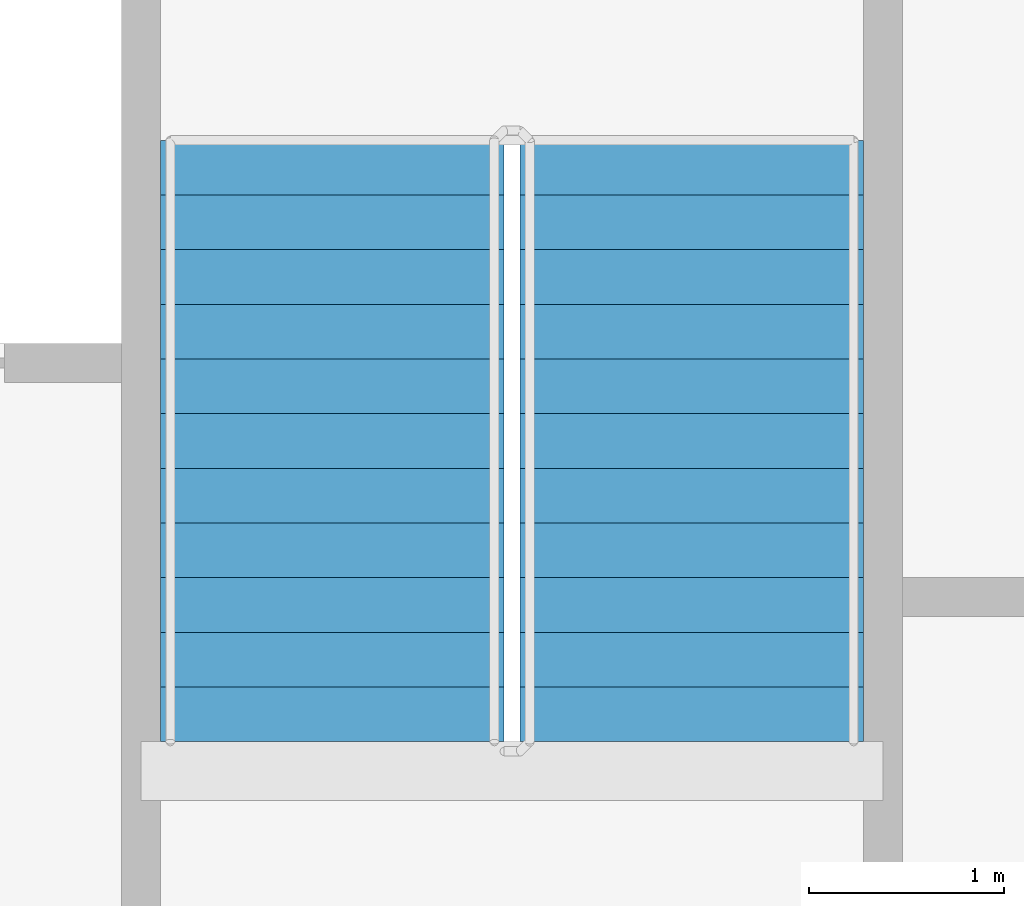
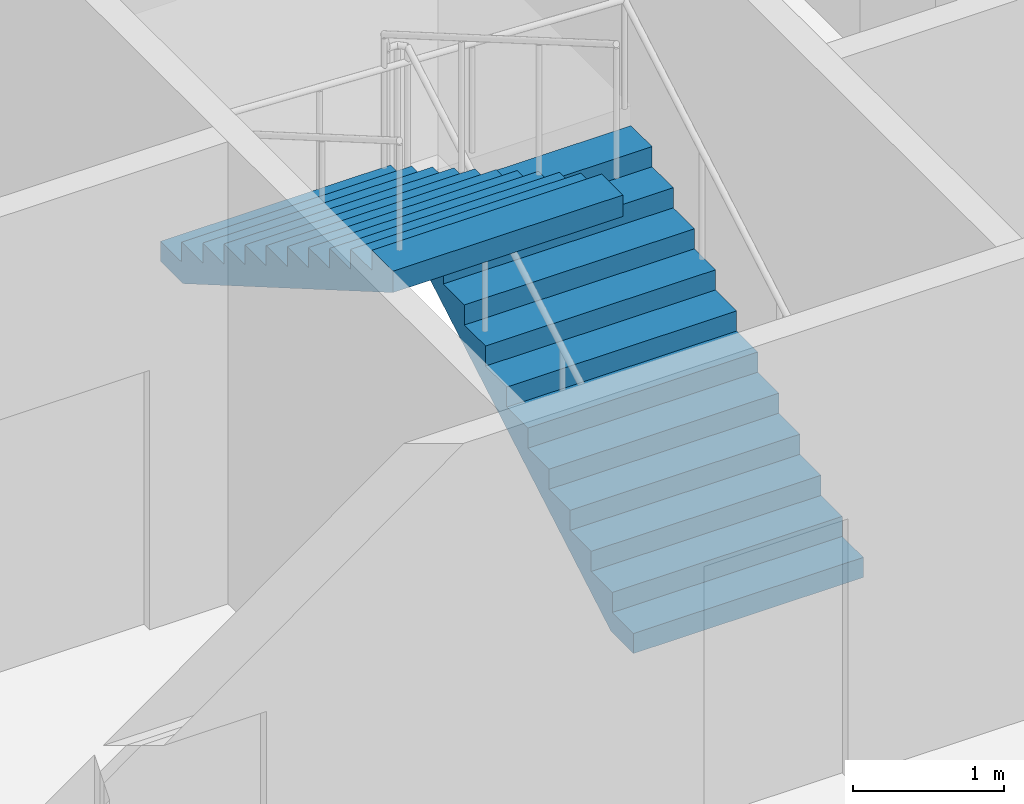
# One storey, part 18 of 23: 2 stair flights, 1 element without a shape of its own.
"""IFC4 building model written with IfcOpenShell, lengths in metres."""

from ifc_helpers import new_model, si_unit, direction, frame, origin, place, context, subcontext, project, spatial, faceted_brep, material, type_object, element, aggregate, save


model = new_model("IFC4")

# Units and contexts
model_context = context("Model", 3, precision=1e-05, world=origin(), true_north=direction((0.0, 1.0)))
body_context = subcontext(model_context, "Body", "Model", "MODEL_VIEW")
ifc_project = project(units=[si_unit("LENGTHUNIT", "METRE"), si_unit("AREAUNIT", "SQUARE_METRE"), si_unit("VOLUMEUNIT", "CUBIC_METRE"), si_unit("PLANEANGLEUNIT", "RADIAN"), si_unit("MASSUNIT", "GRAM", prefix="KILO")], contexts=[model_context])

# Site, building, storey
site_placement = place(None, origin())
site = spatial("IfcSite", under=ifc_project, at=site_placement, CompositionType="ELEMENT")
building_placement = place(site_placement, origin())
building = spatial("IfcBuilding", under=site, at=building_placement, Name="Tarsis Ring Headquarters", CompositionType="ELEMENT")
storey_placement = place(building_placement, frame((0.0, 0.0, 155.39990234375)))
storey = spatial("IfcBuildingStorey", under=building, at=storey_placement, Name="L35", CompositionType="ELEMENT", Elevation=155.39990234375)

# Stair, stair flights
ifc_material_1 = material(Name="Core stair 1760")
stair_type = type_object("IfcStairType", Name="Core stair 1760", PredefinedType="HALF_TURN_STAIR", material=ifc_material_1)
stair_placement = place(storey_placement, origin())
stair = element("IfcStair", 1, at=stair_placement, inside=storey, type_object=stair_type, Name="L35 Exit stair B", PredefinedType="HALF_TURN_STAIR")
ifc_material_2 = material(Name="Concrete C40/50", Category="concrete")
stair_flight_type = type_object("IfcStairFlightType", Name="Core stair flight 1760", PredefinedType="STRAIGHT", material=ifc_material_2)
stair_flight_1_placement = place(storey_placement, frame((5.419921875, 3.659912109375, 0.0), z_axis=(0.0, 0.0, 1.0), x_axis=(0.0, 1.0, 0.0)))
stair_flight_1 = element("IfcStairFlight", 2, at=stair_flight_1_placement, type_object=stair_flight_type, Name="Stair ST2 flight 1", NumberOfRisers=12, NumberOfTreads=11, PredefinedType="STRAIGHT", RiserHeight=0.1625, TreadLength=0.28, context=body_context, shape_type="Brep", body=[
    faceted_brep([(0.0, 0.8798828125, 0.0), (0.0, 0.8798828125, 0.16259765625), (0.280029296875, 0.8798828125, 0.16259765625), (0.280029296875, 0.8798828125, 0.324951171875), (0.56005859375, 0.8798828125, 0.324951171875), (0.56005859375, 0.8798828125, 0.487548828125), (0.840087890625, 0.8798828125, 0.487548828125), (0.840087890625, 0.8798828125, 0.64990234375), (1.1201171875, 0.8798828125, 0.64990234375), (1.1201171875, 0.8798828125, 0.8125), (1.39990234375, 0.8798828125, 0.8125), (1.39990234375, 0.8798828125, 0.97509765625), (1.679931640625, 0.8798828125, 0.97509765625), (1.679931640625, 0.8798828125, 1.137451171875), (1.9599609375, 0.8798828125, 1.137451171875), (1.9599609375, 0.8798828125, 1.300048828125), (2.239990234375, 0.8798828125, 1.300048828125), (2.239990234375, 0.8798828125, 1.46240234375), (2.52001953125, 0.8798828125, 1.46240234375), (2.52001953125, 0.8798828125, 1.625), (2.800048828125, 0.8798828125, 1.625), (2.800048828125, 0.8798828125, 1.78759765625), (3.080078125, 0.8798828125, 1.78759765625), (3.080078125, 0.8798828125, 1.6142578125), (0.298583984375, 0.8798828125, 0.0), (0.298583984375, -0.8798828125, 0.0), (3.080078125, -0.8798828125, 1.6142578125), (3.080078125, -0.8798828125, 1.78759765625), (2.800048828125, -0.8798828125, 1.78759765625), (2.800048828125, -0.8798828125, 1.625), (2.52001953125, -0.8798828125, 1.625), (2.52001953125, -0.8798828125, 1.46240234375), (2.239990234375, -0.8798828125, 1.46240234375), (2.239990234375, -0.8798828125, 1.300048828125), (1.9599609375, -0.8798828125, 1.300048828125), (1.9599609375, -0.8798828125, 1.137451171875), (1.679931640625, -0.8798828125, 1.137451171875), (1.679931640625, -0.8798828125, 0.97509765625), (1.39990234375, -0.8798828125, 0.97509765625), (1.39990234375, -0.8798828125, 0.8125), (1.1201171875, -0.8798828125, 0.8125), (1.1201171875, -0.8798828125, 0.64990234375), (0.840087890625, -0.8798828125, 0.64990234375), (0.840087890625, -0.8798828125, 0.487548828125), (0.56005859375, -0.8798828125, 0.487548828125), (0.56005859375, -0.8798828125, 0.324951171875), (0.280029296875, -0.8798828125, 0.324951171875), (0.280029296875, -0.8798828125, 0.16259765625), (0.0, -0.8798828125, 0.16259765625), (0.0, -0.8798828125, 0.0), (0.0, -0.43994140625, 0.16259765625), (0.0, -0.43994140625, 0.0), (0.0, 0.0, 0.16259765625), (0.0, 0.0, 0.0), (0.0, 0.43994140625, 0.16259765625), (0.0, 0.43994140625, 0.0), (0.280029296875, -0.43994140625, 0.16259765625), (0.280029296875, 0.0, 0.16259765625), (0.280029296875, 0.43994140625, 0.16259765625), (0.280029296875, -0.43994140625, 0.324951171875), (0.280029296875, 0.0, 0.324951171875), (0.280029296875, 0.43994140625, 0.324951171875), (0.56005859375, -0.43994140625, 0.324951171875), (0.56005859375, 0.0, 0.324951171875), (0.56005859375, 0.43994140625, 0.324951171875), (0.56005859375, -0.43994140625, 0.487548828125), (0.56005859375, 0.0, 0.487548828125), (0.56005859375, 0.43994140625, 0.487548828125), (0.840087890625, -0.43994140625, 0.487548828125), (0.840087890625, 0.0, 0.487548828125), (0.840087890625, 0.43994140625, 0.487548828125), (0.840087890625, -0.43994140625, 0.64990234375), (0.840087890625, 0.0, 0.64990234375), (0.840087890625, 0.43994140625, 0.64990234375), (1.1201171875, -0.43994140625, 0.64990234375), (1.1201171875, 0.0, 0.64990234375), (1.1201171875, 0.43994140625, 0.64990234375), (1.1201171875, -0.43994140625, 0.8125), (1.1201171875, 0.0, 0.8125), (1.1201171875, 0.43994140625, 0.8125), (1.39990234375, -0.43994140625, 0.8125), (1.39990234375, 0.0, 0.8125), (1.39990234375, 0.43994140625, 0.8125), (1.39990234375, -0.43994140625, 0.97509765625), (1.39990234375, 0.0, 0.97509765625), (1.39990234375, 0.43994140625, 0.97509765625), (1.679931640625, -0.43994140625, 0.97509765625), (1.679931640625, 0.0, 0.97509765625), (1.679931640625, 0.43994140625, 0.97509765625), (1.679931640625, -0.43994140625, 1.137451171875), (1.679931640625, 0.0, 1.137451171875), (1.679931640625, 0.43994140625, 1.137451171875), (1.9599609375, -0.43994140625, 1.137451171875), (1.9599609375, 0.0, 1.137451171875), (1.9599609375, 0.43994140625, 1.137451171875), (1.9599609375, -0.43994140625, 1.300048828125), (1.9599609375, 0.0, 1.300048828125), (1.9599609375, 0.43994140625, 1.300048828125), (2.239990234375, -0.43994140625, 1.300048828125), (2.239990234375, 0.0, 1.300048828125), (2.239990234375, 0.43994140625, 1.300048828125), (2.239990234375, -0.43994140625, 1.46240234375), (2.239990234375, 0.0, 1.46240234375), (2.239990234375, 0.43994140625, 1.46240234375), (2.52001953125, -0.43994140625, 1.46240234375), (2.52001953125, 0.0, 1.46240234375), (2.52001953125, 0.43994140625, 1.46240234375), (2.52001953125, -0.43994140625, 1.625), (2.52001953125, 0.0, 1.625), (2.52001953125, 0.43994140625, 1.625), (2.800048828125, -0.43994140625, 1.625), (2.800048828125, 0.0, 1.625), (2.800048828125, 0.43994140625, 1.625), (2.800048828125, -0.43994140625, 1.78759765625), (2.800048828125, 0.0, 1.78759765625), (2.800048828125, 0.43994140625, 1.78759765625), (3.080078125, -0.43994140625, 1.78759765625), (3.080078125, 0.0, 1.78759765625), (3.080078125, 0.43994140625, 1.78759765625), (3.080078125, -0.43994140625, 1.6142578125), (3.080078125, 0.0, 1.6142578125), (3.080078125, 0.43994140625, 1.6142578125), (0.298583984375, -0.43994140625, 0.0), (0.298583984375, 0.0, 0.0), (0.298583984375, 0.43994140625, 0.0)], [[[0, 1, 2, 3, 4, 5, 6, 7, 8, 9, 10, 11, 12, 13, 14, 15, 16, 17, 18, 19, 20, 21, 22, 23, 24]], [[25, 26, 27, 28, 29, 30, 31, 32, 33, 34, 35, 36, 37, 38, 39, 40, 41, 42, 43, 44, 45, 46, 47, 48, 49]], [[49, 48, 50, 51]], [[51, 50, 52, 53]], [[53, 52, 54, 55]], [[55, 54, 1, 0]], [[48, 47, 56, 50]], [[50, 56, 57, 52]], [[52, 57, 58, 54]], [[54, 58, 2, 1]], [[47, 46, 59, 56]], [[56, 59, 60, 57]], [[57, 60, 61, 58]], [[58, 61, 3, 2]], [[46, 45, 62, 59]], [[59, 62, 63, 60]], [[60, 63, 64, 61]], [[61, 64, 4, 3]], [[45, 44, 65, 62]], [[62, 65, 66, 63]], [[63, 66, 67, 64]], [[64, 67, 5, 4]], [[44, 43, 68, 65]], [[65, 68, 69, 66]], [[66, 69, 70, 67]], [[67, 70, 6, 5]], [[43, 42, 71, 68]], [[68, 71, 72, 69]], [[69, 72, 73, 70]], [[70, 73, 7, 6]], [[42, 41, 74, 71]], [[71, 74, 75, 72]], [[72, 75, 76, 73]], [[73, 76, 8, 7]], [[41, 40, 77, 74]], [[74, 77, 78, 75]], [[75, 78, 79, 76]], [[76, 79, 9, 8]], [[40, 39, 80, 77]], [[77, 80, 81, 78]], [[78, 81, 82, 79]], [[79, 82, 10, 9]], [[39, 38, 83, 80]], [[80, 83, 84, 81]], [[81, 84, 85, 82]], [[82, 85, 11, 10]], [[38, 37, 86, 83]], [[83, 86, 87, 84]], [[84, 87, 88, 85]], [[85, 88, 12, 11]], [[37, 36, 89, 86]], [[86, 89, 90, 87]], [[87, 90, 91, 88]], [[88, 91, 13, 12]], [[36, 35, 92, 89]], [[89, 92, 93, 90]], [[90, 93, 94, 91]], [[91, 94, 14, 13]], [[35, 34, 95, 92]], [[92, 95, 96, 93]], [[93, 96, 97, 94]], [[94, 97, 15, 14]], [[34, 33, 98, 95]], [[95, 98, 99, 96]], [[96, 99, 100, 97]], [[97, 100, 16, 15]], [[33, 32, 101, 98]], [[98, 101, 102, 99]], [[99, 102, 103, 100]], [[100, 103, 17, 16]], [[32, 31, 104, 101]], [[101, 104, 105, 102]], [[102, 105, 106, 103]], [[103, 106, 18, 17]], [[31, 30, 107, 104]], [[104, 107, 108, 105]], [[105, 108, 109, 106]], [[106, 109, 19, 18]], [[30, 29, 110, 107]], [[107, 110, 111, 108]], [[108, 111, 112, 109]], [[109, 112, 20, 19]], [[29, 28, 113, 110]], [[110, 113, 114, 111]], [[111, 114, 115, 112]], [[112, 115, 21, 20]], [[28, 27, 116, 113]], [[113, 116, 117, 114]], [[114, 117, 118, 115]], [[115, 118, 22, 21]], [[27, 26, 119, 116]], [[116, 119, 120, 117]], [[117, 120, 121, 118]], [[118, 121, 23, 22]], [[26, 25, 122, 119]], [[119, 122, 123, 120]], [[120, 123, 124, 121]], [[121, 124, 24, 23]], [[25, 49, 51, 122]], [[122, 51, 53, 123]], [[123, 53, 55, 124]], [[124, 55, 0, 24]]]),
])
stair_flight_2_placement = place(storey_placement, frame((3.580078125, 6.739990234375, 1.9501953125), z_axis=(0.0, 0.0, 1.0), x_axis=(0.0, -1.0, 0.0)))
stair_flight_2 = element("IfcStairFlight", 3, at=stair_flight_2_placement, type_object=stair_flight_type, Name="Stair ST2 flight 2", NumberOfRisers=12, NumberOfTreads=11, PredefinedType="STRAIGHT", RiserHeight=0.1625, TreadLength=0.28, context=body_context, shape_type="Brep", body=[
    faceted_brep([(0.0, 0.8798828125, 0.0), (0.0, 0.8798828125, 0.16259765625), (0.280029296875, 0.8798828125, 0.16259765625), (0.280029296875, 0.8798828125, 0.324951171875), (0.56005859375, 0.8798828125, 0.324951171875), (0.56005859375, 0.8798828125, 0.487548828125), (0.840087890625, 0.8798828125, 0.487548828125), (0.840087890625, 0.8798828125, 0.64990234375), (1.1201171875, 0.8798828125, 0.64990234375), (1.1201171875, 0.8798828125, 0.8125), (1.39990234375, 0.8798828125, 0.8125), (1.39990234375, 0.8798828125, 0.97509765625), (1.679931640625, 0.8798828125, 0.97509765625), (1.679931640625, 0.8798828125, 1.137451171875), (1.9599609375, 0.8798828125, 1.137451171875), (1.9599609375, 0.8798828125, 1.300048828125), (2.239990234375, 0.8798828125, 1.300048828125), (2.239990234375, 0.8798828125, 1.46240234375), (2.52001953125, 0.8798828125, 1.46240234375), (2.52001953125, 0.8798828125, 1.625), (2.800048828125, 0.8798828125, 1.625), (2.800048828125, 0.8798828125, 1.78759765625), (3.080078125, 0.8798828125, 1.78759765625), (3.080078125, 0.8798828125, 1.6142578125), (0.298583984375, 0.8798828125, 0.0), (0.298583984375, -0.8798828125, 0.0), (3.080078125, -0.8798828125, 1.6142578125), (3.080078125, -0.8798828125, 1.78759765625), (2.800048828125, -0.8798828125, 1.78759765625), (2.800048828125, -0.8798828125, 1.625), (2.52001953125, -0.8798828125, 1.625), (2.52001953125, -0.8798828125, 1.46240234375), (2.239990234375, -0.8798828125, 1.46240234375), (2.239990234375, -0.8798828125, 1.300048828125), (1.9599609375, -0.8798828125, 1.300048828125), (1.9599609375, -0.8798828125, 1.137451171875), (1.679931640625, -0.8798828125, 1.137451171875), (1.679931640625, -0.8798828125, 0.97509765625), (1.39990234375, -0.8798828125, 0.97509765625), (1.39990234375, -0.8798828125, 0.8125), (1.1201171875, -0.8798828125, 0.8125), (1.1201171875, -0.8798828125, 0.64990234375), (0.840087890625, -0.8798828125, 0.64990234375), (0.840087890625, -0.8798828125, 0.487548828125), (0.56005859375, -0.8798828125, 0.487548828125), (0.56005859375, -0.8798828125, 0.324951171875), (0.280029296875, -0.8798828125, 0.324951171875), (0.280029296875, -0.8798828125, 0.16259765625), (0.0, -0.8798828125, 0.16259765625), (0.0, -0.8798828125, 0.0), (0.0, -0.43994140625, 0.16259765625), (0.0, -0.43994140625, 0.0), (0.0, 0.0, 0.16259765625), (0.0, 0.0, 0.0), (0.0, 0.43994140625, 0.16259765625), (0.0, 0.43994140625, 0.0), (0.280029296875, -0.43994140625, 0.16259765625), (0.280029296875, 0.0, 0.16259765625), (0.280029296875, 0.43994140625, 0.16259765625), (0.280029296875, -0.43994140625, 0.324951171875), (0.280029296875, 0.0, 0.324951171875), (0.280029296875, 0.43994140625, 0.324951171875), (0.56005859375, -0.43994140625, 0.324951171875), (0.56005859375, 0.0, 0.324951171875), (0.56005859375, 0.43994140625, 0.324951171875), (0.56005859375, -0.43994140625, 0.487548828125), (0.56005859375, 0.0, 0.487548828125), (0.56005859375, 0.43994140625, 0.487548828125), (0.840087890625, -0.43994140625, 0.487548828125), (0.840087890625, 0.0, 0.487548828125), (0.840087890625, 0.43994140625, 0.487548828125), (0.840087890625, -0.43994140625, 0.64990234375), (0.840087890625, 0.0, 0.64990234375), (0.840087890625, 0.43994140625, 0.64990234375), (1.1201171875, -0.43994140625, 0.64990234375), (1.1201171875, 0.0, 0.64990234375), (1.1201171875, 0.43994140625, 0.64990234375), (1.1201171875, -0.43994140625, 0.8125), (1.1201171875, 0.0, 0.8125), (1.1201171875, 0.43994140625, 0.8125), (1.39990234375, -0.43994140625, 0.8125), (1.39990234375, 0.0, 0.8125), (1.39990234375, 0.43994140625, 0.8125), (1.39990234375, -0.43994140625, 0.97509765625), (1.39990234375, 0.0, 0.97509765625), (1.39990234375, 0.43994140625, 0.97509765625), (1.679931640625, -0.43994140625, 0.97509765625), (1.679931640625, 0.0, 0.97509765625), (1.679931640625, 0.43994140625, 0.97509765625), (1.679931640625, -0.43994140625, 1.137451171875), (1.679931640625, 0.0, 1.137451171875), (1.679931640625, 0.43994140625, 1.137451171875), (1.9599609375, -0.43994140625, 1.137451171875), (1.9599609375, 0.0, 1.137451171875), (1.9599609375, 0.43994140625, 1.137451171875), (1.9599609375, -0.43994140625, 1.300048828125), (1.9599609375, 0.0, 1.300048828125), (1.9599609375, 0.43994140625, 1.300048828125), (2.239990234375, -0.43994140625, 1.300048828125), (2.239990234375, 0.0, 1.300048828125), (2.239990234375, 0.43994140625, 1.300048828125), (2.239990234375, -0.43994140625, 1.46240234375), (2.239990234375, 0.0, 1.46240234375), (2.239990234375, 0.43994140625, 1.46240234375), (2.52001953125, -0.43994140625, 1.46240234375), (2.52001953125, 0.0, 1.46240234375), (2.52001953125, 0.43994140625, 1.46240234375), (2.52001953125, -0.43994140625, 1.625), (2.52001953125, 0.0, 1.625), (2.52001953125, 0.43994140625, 1.625), (2.800048828125, -0.43994140625, 1.625), (2.800048828125, 0.0, 1.625), (2.800048828125, 0.43994140625, 1.625), (2.800048828125, -0.43994140625, 1.78759765625), (2.800048828125, 0.0, 1.78759765625), (2.800048828125, 0.43994140625, 1.78759765625), (3.080078125, -0.43994140625, 1.78759765625), (3.080078125, 0.0, 1.78759765625), (3.080078125, 0.43994140625, 1.78759765625), (3.080078125, -0.43994140625, 1.6142578125), (3.080078125, 0.0, 1.6142578125), (3.080078125, 0.43994140625, 1.6142578125), (0.298583984375, -0.43994140625, 0.0), (0.298583984375, 0.0, 0.0), (0.298583984375, 0.43994140625, 0.0)], [[[0, 1, 2, 3, 4, 5, 6, 7, 8, 9, 10, 11, 12, 13, 14, 15, 16, 17, 18, 19, 20, 21, 22, 23, 24]], [[25, 26, 27, 28, 29, 30, 31, 32, 33, 34, 35, 36, 37, 38, 39, 40, 41, 42, 43, 44, 45, 46, 47, 48, 49]], [[49, 48, 50, 51]], [[51, 50, 52, 53]], [[53, 52, 54, 55]], [[55, 54, 1, 0]], [[48, 47, 56, 50]], [[50, 56, 57, 52]], [[52, 57, 58, 54]], [[54, 58, 2, 1]], [[47, 46, 59, 56]], [[56, 59, 60, 57]], [[57, 60, 61, 58]], [[58, 61, 3, 2]], [[46, 45, 62, 59]], [[59, 62, 63, 60]], [[60, 63, 64, 61]], [[61, 64, 4, 3]], [[45, 44, 65, 62]], [[62, 65, 66, 63]], [[63, 66, 67, 64]], [[64, 67, 5, 4]], [[44, 43, 68, 65]], [[65, 68, 69, 66]], [[66, 69, 70, 67]], [[67, 70, 6, 5]], [[43, 42, 71, 68]], [[68, 71, 72, 69]], [[69, 72, 73, 70]], [[70, 73, 7, 6]], [[42, 41, 74, 71]], [[71, 74, 75, 72]], [[72, 75, 76, 73]], [[73, 76, 8, 7]], [[41, 40, 77, 74]], [[74, 77, 78, 75]], [[75, 78, 79, 76]], [[76, 79, 9, 8]], [[40, 39, 80, 77]], [[77, 80, 81, 78]], [[78, 81, 82, 79]], [[79, 82, 10, 9]], [[39, 38, 83, 80]], [[80, 83, 84, 81]], [[81, 84, 85, 82]], [[82, 85, 11, 10]], [[38, 37, 86, 83]], [[83, 86, 87, 84]], [[84, 87, 88, 85]], [[85, 88, 12, 11]], [[37, 36, 89, 86]], [[86, 89, 90, 87]], [[87, 90, 91, 88]], [[88, 91, 13, 12]], [[36, 35, 92, 89]], [[89, 92, 93, 90]], [[90, 93, 94, 91]], [[91, 94, 14, 13]], [[35, 34, 95, 92]], [[92, 95, 96, 93]], [[93, 96, 97, 94]], [[94, 97, 15, 14]], [[34, 33, 98, 95]], [[95, 98, 99, 96]], [[96, 99, 100, 97]], [[97, 100, 16, 15]], [[33, 32, 101, 98]], [[98, 101, 102, 99]], [[99, 102, 103, 100]], [[100, 103, 17, 16]], [[32, 31, 104, 101]], [[101, 104, 105, 102]], [[102, 105, 106, 103]], [[103, 106, 18, 17]], [[31, 30, 107, 104]], [[104, 107, 108, 105]], [[105, 108, 109, 106]], [[106, 109, 19, 18]], [[30, 29, 110, 107]], [[107, 110, 111, 108]], [[108, 111, 112, 109]], [[109, 112, 20, 19]], [[29, 28, 113, 110]], [[110, 113, 114, 111]], [[111, 114, 115, 112]], [[112, 115, 21, 20]], [[28, 27, 116, 113]], [[113, 116, 117, 114]], [[114, 117, 118, 115]], [[115, 118, 22, 21]], [[27, 26, 119, 116]], [[116, 119, 120, 117]], [[117, 120, 121, 118]], [[118, 121, 23, 22]], [[26, 25, 122, 119]], [[119, 122, 123, 120]], [[120, 123, 124, 121]], [[121, 124, 24, 23]], [[25, 49, 51, 122]], [[122, 51, 53, 123]], [[123, 53, 55, 124]], [[124, 55, 0, 24]]]),
])
aggregate(stair, [stair_flight_1, stair_flight_2])

save(model, "model.ifc")
